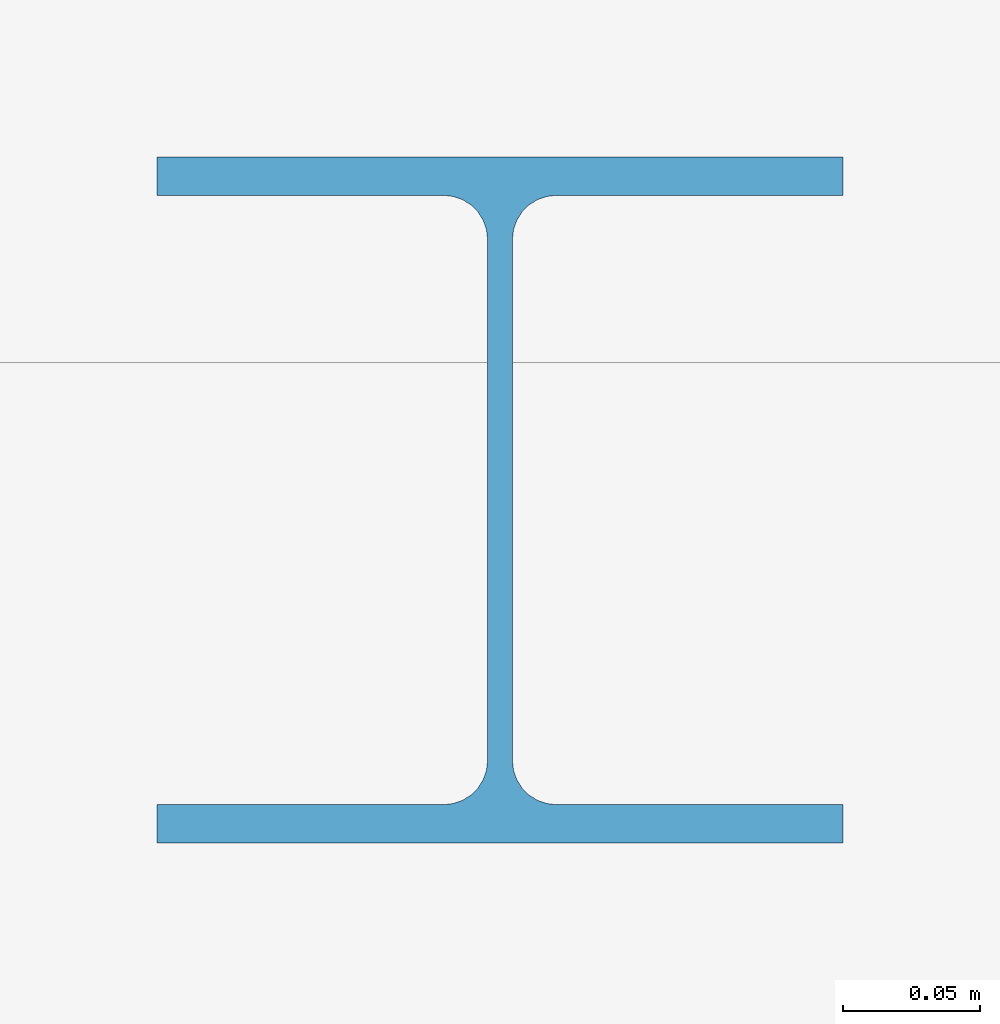
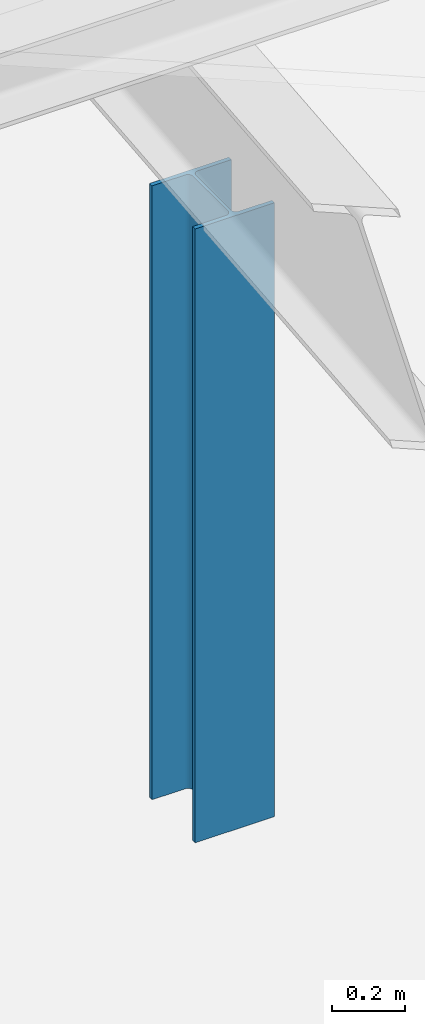
# One storey, part 18 of 44: 1 member.
"""IFC4 building model written with IfcOpenShell, lengths in metres."""

from ifc_helpers import new_model, si_unit, direction, frame, origin, origin_2d, place, context, subcontext, project, spatial, i_section, extrude, material, material_profile, profile_set, type_object, element, save


model = new_model("IFC4")

# Units and contexts
model_context = context("Model", 3, precision=1e-05, world=origin(), true_north=direction((0.0, 1.0)))
body_context = subcontext(model_context, "Body", "Model", "MODEL_VIEW")
ifc_project = project(units=[si_unit("LENGTHUNIT", "METRE"), si_unit("AREAUNIT", "SQUARE_METRE"), si_unit("VOLUMEUNIT", "CUBIC_METRE"), si_unit("PLANEANGLEUNIT", "RADIAN"), si_unit("MASSUNIT", "GRAM", prefix="KILO")], contexts=[model_context])

# Site, building, storey
site_placement = place(None, origin())
site = spatial("IfcSite", under=ifc_project, at=site_placement, CompositionType="ELEMENT")
building_placement = place(site_placement, origin())
building = spatial("IfcBuilding", under=site, at=building_placement, Name="Basin Gate Institute", CompositionType="ELEMENT")
storey_placement = place(building_placement, frame((0.0, 0.0, 27.0)))
storey = spatial("IfcBuildingStorey", under=building, at=storey_placement, Name="L05", CompositionType="ELEMENT", Elevation=27.0)

# Member
ifc_material = material(Name="Structural steel SN490", Category="steel")
ifc_material_profile = material_profile(ifc_material, i_section(OverallWidth=0.25, OverallDepth=0.25, WebThickness=0.009033203125, FlangeThickness=0.013916015625, FilletRadius=0.01611328125, at=origin_2d()), Name="H250x250")
ifc_profile_set = profile_set([ifc_material_profile], Name="Structural steel SN490")
member_type = type_object("IfcMemberType", Name="Umbrella post TC3 R120", PredefinedType="POST", material=ifc_profile_set)
member_placement = place(storey_placement, frame((124.699951171875, 88.5, 0.0), z_axis=(0.0, 0.0, 1.0), x_axis=(1.0, 0.0, 0.0)))
element("IfcMember", 1, at=member_placement, inside=storey, type_object=member_type, material=ifc_profile_set, Name="Umbrella roof post 1/3", PredefinedType="POST", context=body_context, shape_type="SweptSolid", body=[
    extrude(i_section(OverallWidth=0.25, OverallDepth=0.25, WebThickness=0.009033203125, FlangeThickness=0.013916015625, FilletRadius=0.01611328125, at=origin_2d()), origin(), (0.0, 0.0, 1.0), 2.042724609375),
])

save(model, "model.ifc")
